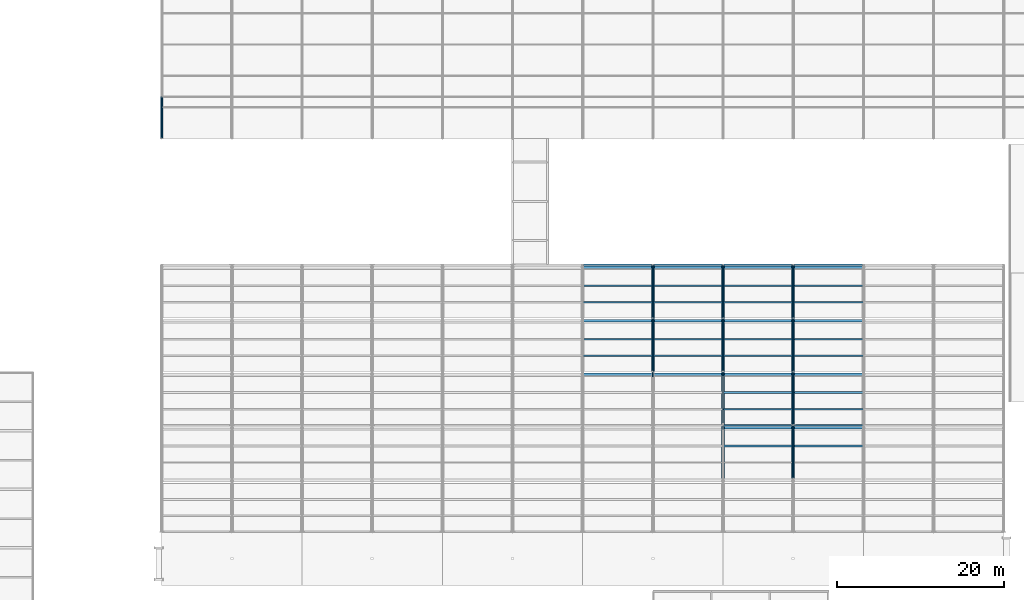
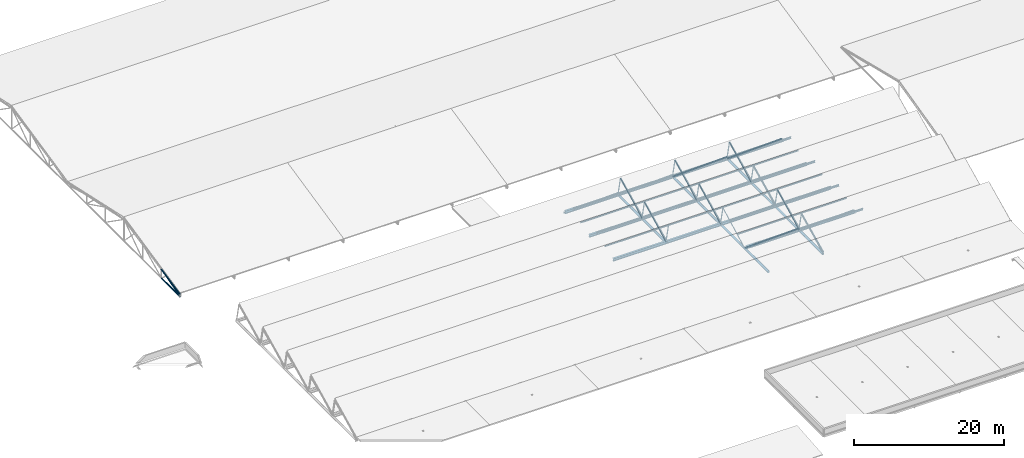
# One storey, part 3 of 194: 46 members, 36 beams.
"""IFC4 building model written with IfcOpenShell, lengths in metres."""

from ifc_helpers import new_model, si_unit, direction, frame, origin, origin_2d, place, context, subcontext, project, spatial, hollow_rectangle, hollow_circle, i_section, extrude, material, material_profile, profile_set, type_object, element, save


model = new_model("IFC4")

# Units and contexts
model_context = context("Model", 3, precision=1e-05, world=origin(), true_north=direction((0.0, 1.0)))
body_context = subcontext(model_context, "Body", "Model", "MODEL_VIEW")
ifc_project = project(units=[si_unit("LENGTHUNIT", "METRE"), si_unit("AREAUNIT", "SQUARE_METRE"), si_unit("VOLUMEUNIT", "CUBIC_METRE"), si_unit("PLANEANGLEUNIT", "RADIAN"), si_unit("MASSUNIT", "GRAM", prefix="KILO")], contexts=[model_context])

# Site, building, storey
site_placement = place(None, origin())
site = spatial("IfcSite", under=ifc_project, at=site_placement, CompositionType="ELEMENT")
building_placement = place(site_placement, origin())
building = spatial("IfcBuilding", under=site, at=building_placement, Name="Kazenagashi Tramway Depot", CompositionType="ELEMENT")
storey_placement = place(building_placement, frame((0.0, 0.0, 23.7)))
storey = spatial("IfcBuildingStorey", under=building, at=storey_placement, Name="ROOF", CompositionType="ELEMENT", Elevation=23.7)

# Members
ifc_material_1 = material(Name="Steel STKR400", Category="steel")
ifc_material_profile_1 = material_profile(ifc_material_1, hollow_rectangle(XDim=0.175, YDim=0.175, WallThickness=0.008, at=origin_2d()), Name="SHS-175x175x8")
ifc_profile_set_1 = profile_set([ifc_material_profile_1], Name="Steel STKR400")
member_type_1 = type_object("IfcMemberType", Name="BR-03", PredefinedType="BRACE", material=ifc_profile_set_1)
for number, where, z_axis, x_axis, name in (
    (1, (95.2, 54.9, -8.9), (0.999362854348, 0.0, 0.035691530512), (0.0, 1.0, 0.0), "Roof Truss BR-03 MEM-1350"),
    (2, (103.6, 54.9, -8.9), (0.999362854348, 0.0, 0.035691530512), (0.0, 1.0, 0.0), "Roof Truss BR-03 MEM-1379"),
    (3, (112.0, 35.7, -8.9), (0.999362854348, 0.0, 0.035691530512), (0.0, 1.0, 0.0), "Roof Truss BR-03 MEM-1407"),
    (4, (112.0, 54.9, -8.9), (0.999362854348, 0.0, 0.035691530512), (0.0, 1.0, 0.0), "Roof Truss BR-03 MEM-1408"),
    (5, (120.4, 35.7, -8.9), (0.999362854348, 0.0, 0.035691530512), (0.0, 1.0, 0.0), "Roof Truss BR-03 MEM-1436"),
    (6, (120.4, 54.9, -8.9), (0.999362854348, 0.0, 0.035691530512), (0.0, 1.0, 0.0), "Roof Truss BR-03 MEM-1437"),
):
    element("IfcMember", number, at=place(storey_placement, frame(where, z_axis=z_axis, x_axis=x_axis)), inside=storey, type_object=member_type_1, Name=name, PredefinedType="BRACE", context=body_context, shape_type="SweptSolid", body=[
        extrude(hollow_rectangle(XDim=0.175, YDim=0.175, WallThickness=0.008, at=origin_2d()), origin(), (0.0, 0.0, 1.0), 8.405355),
    ])

# Beams
ifc_material_2 = material(Name="Steel SN490B", Category="steel")
ifc_material_profile_2 = material_profile(ifc_material_2, i_section(OverallWidth=0.3, OverallDepth=0.44, WebThickness=0.011, FlangeThickness=0.018, at=origin_2d()), Name="H-440x300x11x18")
ifc_profile_set_2 = profile_set([ifc_material_profile_2], Name="Steel SN490B")
beam_type_1 = type_object("IfcBeamType", Name="G-06", PredefinedType="BEAM", material=ifc_profile_set_2)
for number, where, z_axis, x_axis, name in (
    (7, (112.0, 35.4, -8.62), (1.0, 0.0, 0.0), (0.0, 1.0, 0.0), "Beam G-06 BM-1950"),
    (8, (120.4, 35.4, -8.62), (1.0, 0.0, 0.0), (0.0, 1.0, 0.0), "Beam G-06 BM-1951"),
    (9, (95.2, 41.8, -8.62), (1.0, 0.0, 0.0), (0.0, 1.0, 0.0), "Beam G-06 BM-1960"),
    (10, (103.6, 41.8, -8.62), (1.0, 0.0, 0.0), (0.0, 1.0, 0.0), "Beam G-06 BM-1961"),
    (11, (112.0, 41.8, -8.62), (1.0, 0.0, 0.0), (0.0, 1.0, 0.0), "Beam G-06 BM-1962"),
    (12, (120.4, 41.8, -8.62), (1.0, 0.0, 0.0), (0.0, 1.0, 0.0), "Beam G-06 BM-1963"),
    (13, (95.2, 48.2, -8.62), (1.0, 0.0, 0.0), (0.0, 1.0, 0.0), "Beam G-06 BM-1972"),
    (14, (103.6, 48.2, -8.62), (1.0, 0.0, 0.0), (0.0, 1.0, 0.0), "Beam G-06 BM-1973"),
    (15, (112.0, 48.2, -8.62), (1.0, 0.0, 0.0), (0.0, 1.0, 0.0), "Beam G-06 BM-1974"),
    (16, (120.4, 48.2, -8.62), (1.0, 0.0, 0.0), (0.0, 1.0, 0.0), "Beam G-06 BM-1975"),
    (17, (95.2, 54.6, -8.62), (1.0, 0.0, 0.0), (0.0, 1.0, 0.0), "Beam G-06 BM-1984"),
    (18, (103.6, 54.6, -8.62), (1.0, 0.0, 0.0), (0.0, 1.0, 0.0), "Beam G-06 BM-1985"),
    (19, (112.0, 54.6, -8.62), (1.0, 0.0, 0.0), (0.0, 1.0, 0.0), "Beam G-06 BM-1986"),
    (20, (120.4, 54.6, -8.62), (1.0, 0.0, 0.0), (0.0, 1.0, 0.0), "Beam G-06 BM-1987"),
):
    element("IfcBeam", number, at=place(storey_placement, frame(where, z_axis=z_axis, x_axis=x_axis)), inside=storey, type_object=beam_type_1, Name=name, PredefinedType="BEAM", context=body_context, shape_type="SweptSolid", body=[
        extrude(i_section(OverallWidth=0.3, OverallDepth=0.44, WebThickness=0.011, FlangeThickness=0.018, at=origin_2d()), origin(), (0.0, 0.0, 1.0), 8.4),
    ])
ifc_material_3 = material(Name="Steel SN400B", Category="steel")
ifc_material_profile_3 = material_profile(ifc_material_3, i_section(OverallWidth=0.175, OverallDepth=0.175, WebThickness=0.0075, FlangeThickness=0.011, at=origin_2d()), Name="H-175x175x7.5x11")
ifc_profile_set_3 = profile_set([ifc_material_profile_3], Name="Steel SN400B")
beam_type_2 = type_object("IfcBeamType", Name="PR-02", PredefinedType="USERDEFINED", material=ifc_profile_set_3)
for number, where, z_axis, x_axis, name in (
    (21, (112.0, 37.614, -7.775), (1.0, 0.0, 0.0), (0.0, 1.0, 0.0), "Beam PR-02 BM-2290"),
    (22, (120.4, 37.614, -7.775), (1.0, 0.0, 0.0), (0.0, 1.0, 0.0), "Beam PR-02 BM-2291"),
    (23, (95.2, 44.014, -7.775), (1.0, 0.0, 0.0), (0.0, 1.0, 0.0), "Beam PR-02 BM-2312"),
    (24, (103.6, 44.014, -7.775), (1.0, 0.0, 0.0), (0.0, 1.0, 0.0), "Beam PR-02 BM-2313"),
    (25, (112.0, 44.014, -7.775), (1.0, 0.0, 0.0), (0.0, 1.0, 0.0), "Beam PR-02 BM-2314"),
    (26, (120.4, 44.014, -7.775), (1.0, 0.0, 0.0), (0.0, 1.0, 0.0), "Beam PR-02 BM-2315"),
    (27, (95.2, 50.414, -7.775), (1.0, 0.0, 0.0), (0.0, 1.0, 0.0), "Beam PR-02 BM-2336"),
    (28, (103.6, 50.414, -7.775), (1.0, 0.0, 0.0), (0.0, 1.0, 0.0), "Beam PR-02 BM-2337"),
    (29, (112.0, 50.414, -7.775), (1.0, 0.0, 0.0), (0.0, 1.0, 0.0), "Beam PR-02 BM-2338"),
    (30, (120.4, 50.414, -7.775), (1.0, 0.0, 0.0), (0.0, 1.0, 0.0), "Beam PR-02 BM-2339"),
):
    element("IfcBeam", number, at=place(storey_placement, frame(where, z_axis=z_axis, x_axis=x_axis)), inside=storey, type_object=beam_type_2, Name=name, ObjectType="PURLIN", PredefinedType="USERDEFINED", context=body_context, shape_type="SweptSolid", body=[
        extrude(i_section(OverallWidth=0.175, OverallDepth=0.175, WebThickness=0.0075, FlangeThickness=0.011, at=origin_2d()), origin(), (0.0, 0.0, 1.0), 8.4),
    ])
ifc_material_profile_4 = material_profile(ifc_material_2, i_section(OverallWidth=0.2, OverallDepth=0.294, WebThickness=0.008, FlangeThickness=0.012, at=origin_2d()), Name="H-294x200x8x12")
ifc_profile_set_4 = profile_set([ifc_material_profile_4], Name="Steel SN490B")
beam_type_3 = type_object("IfcBeamType", Name="PR-03", PredefinedType="USERDEFINED", material=ifc_profile_set_4)
for number, where, z_axis, x_axis, name in (
    (31, (112.0, 33.186, -6.873), (1.0, 0.0, 0.0), (0.0, 1.0, 0.0), "Beam PR-03 BM-2278"),
    (32, (120.4, 33.186, -6.873), (1.0, 0.0, 0.0), (0.0, 1.0, 0.0), "Beam PR-03 BM-2279"),
    (33, (112.0, 39.586, -6.873), (1.0, 0.0, 0.0), (0.0, 1.0, 0.0), "Beam PR-03 BM-2302"),
    (34, (120.4, 39.586, -6.873), (1.0, 0.0, 0.0), (0.0, 1.0, 0.0), "Beam PR-03 BM-2303"),
    (35, (95.2, 45.986, -6.873), (1.0, 0.0, 0.0), (0.0, 1.0, 0.0), "Beam PR-03 BM-2324"),
    (36, (103.6, 45.986, -6.873), (1.0, 0.0, 0.0), (0.0, 1.0, 0.0), "Beam PR-03 BM-2325"),
    (37, (112.0, 45.986, -6.873), (1.0, 0.0, 0.0), (0.0, 1.0, 0.0), "Beam PR-03 BM-2326"),
    (38, (120.4, 45.986, -6.873), (1.0, 0.0, 0.0), (0.0, 1.0, 0.0), "Beam PR-03 BM-2327"),
    (39, (95.2, 52.386, -6.873), (1.0, 0.0, 0.0), (0.0, 1.0, 0.0), "Beam PR-03 BM-2348"),
    (40, (103.6, 52.386, -6.873), (1.0, 0.0, 0.0), (0.0, 1.0, 0.0), "Beam PR-03 BM-2349"),
    (41, (112.0, 52.386, -6.873), (1.0, 0.0, 0.0), (0.0, 1.0, 0.0), "Beam PR-03 BM-2350"),
    (42, (120.4, 52.386, -6.873), (1.0, 0.0, 0.0), (0.0, 1.0, 0.0), "Beam PR-03 BM-2351"),
):
    element("IfcBeam", number, at=place(storey_placement, frame(where, z_axis=z_axis, x_axis=x_axis)), inside=storey, type_object=beam_type_3, Name=name, ObjectType="PURLIN", PredefinedType="USERDEFINED", context=body_context, shape_type="SweptSolid", body=[
        extrude(i_section(OverallWidth=0.2, OverallDepth=0.294, WebThickness=0.008, FlangeThickness=0.012, at=origin_2d()), origin(), (0.0, 0.0, 1.0), 8.4),
    ])

# Members
ifc_material_4 = material(Name="Steel STK490", Category="steel")
ifc_material_profile_5 = material_profile(ifc_material_4, hollow_circle(Radius=0.1337, WallThickness=0.0093, at=origin_2d()), Name="CHS-267.4x9.3")
ifc_profile_set_5 = profile_set([ifc_material_profile_5], Name="Steel STK490")
member_type_2 = type_object("IfcMemberType", Name="TC-01", PredefinedType="CHORD", material=ifc_profile_set_5)
member_1_placement = place(storey_placement, frame((44.8, 70.0, -13.7), z_axis=(0.0, 0.979317999984, 0.202327098797), x_axis=(-1.0, 0.0, 0.0)))
element("IfcMember", 43, at=member_1_placement, inside=storey, type_object=member_type_2, Name="Tubular Space Frame TC-01 MEM-0001", PredefinedType="CHORD", context=body_context, shape_type="SweptSolid", body=[
    extrude(hollow_circle(Radius=0.1337, WallThickness=0.0093, at=origin_2d()), origin(), (0.0, 0.0, 1.0), 5.105594),
])
for number, where, z_axis, x_axis, name in (
    (44, (103.6, 42.1, -8.6), (0.0, 0.903579167632, 0.428421157067), (-1.0, 0.0, 0.0), "Roof Truss TC-01 MEM-1367"),
    (45, (103.6, 48.5, -8.6), (0.0, 0.903579167632, 0.428421157067), (-1.0, 0.0, 0.0), "Roof Truss TC-01 MEM-1372"),
    (46, (112.0, 42.1, -8.6), (0.0, 0.903579167632, 0.428421157067), (-1.0, 0.0, 0.0), "Roof Truss TC-01 MEM-1396"),
    (47, (112.0, 48.5, -8.6), (0.0, 0.903579167632, 0.428421157067), (-1.0, 0.0, 0.0), "Roof Truss TC-01 MEM-1401"),
    (48, (120.4, 29.3, -8.6), (0.0, 0.903579167632, 0.428421157067), (-1.0, 0.0, 0.0), "Roof Truss TC-01 MEM-1415"),
    (49, (120.4, 35.7, -8.6), (0.0, 0.903579167632, 0.428421157067), (-1.0, 0.0, 0.0), "Roof Truss TC-01 MEM-1420"),
    (50, (120.4, 42.1, -8.6), (0.0, 0.903579167632, 0.428421157067), (-1.0, 0.0, 0.0), "Roof Truss TC-01 MEM-1425"),
    (51, (120.4, 48.5, -8.6), (0.0, 0.903579167632, 0.428421157067), (-1.0, 0.0, 0.0), "Roof Truss TC-01 MEM-1430"),
):
    element("IfcMember", number, at=place(storey_placement, frame(where, z_axis=z_axis, x_axis=x_axis)), inside=storey, type_object=member_type_2, Name=name, PredefinedType="CHORD", context=body_context, shape_type="SweptSolid", body=[
        extrude(hollow_circle(Radius=0.1337, WallThickness=0.0093, at=origin_2d()), origin(), (0.0, 0.0, 1.0), 6.418917),
    ])
ifc_material_profile_6 = material_profile(ifc_material_4, hollow_circle(Radius=0.10815, WallThickness=0.0082, at=origin_2d()), Name="CHS-216.3x8.2")
ifc_profile_set_6 = profile_set([ifc_material_profile_6], Name="Steel STK490")
member_type_3 = type_object("IfcMemberType", Name="TC-02", PredefinedType="CHORD", material=ifc_profile_set_6)
member_2_placement = place(storey_placement, frame((44.8, 70.0, -14.1), z_axis=(0.0, 1.0, 0.0), x_axis=(-1.0, 0.0, 0.0)))
element("IfcMember", 52, at=member_2_placement, inside=storey, type_object=member_type_3, Name="Tubular Space Frame TC-02 MEM-0002", PredefinedType="CHORD", context=body_context, shape_type="SweptSolid", body=[
    extrude(hollow_circle(Radius=0.10815, WallThickness=0.0082, at=origin_2d()), origin(), (0.0, 0.0, 1.0), 5.0),
])
ifc_material_profile_7 = material_profile(ifc_material_4, hollow_circle(Radius=0.1778, WallThickness=0.0127, at=origin_2d()), Name="CHS-355.6x12.7")
ifc_profile_set_7 = profile_set([ifc_material_profile_7], Name="Steel STK490")
member_type_4 = type_object("IfcMemberType", Name="TC-03", PredefinedType="CHORD", material=ifc_profile_set_7)
for number, where, z_axis, x_axis, name in (
    (53, (103.6, 42.1, -8.9), (0.0, 1.0, 0.0), (-1.0, 0.0, 0.0), "Roof Truss TC-03 MEM-1366"),
    (54, (103.6, 48.5, -8.9), (0.0, 1.0, 0.0), (-1.0, 0.0, 0.0), "Roof Truss TC-03 MEM-1371"),
    (55, (112.0, 29.3, -8.9), (0.0, 1.0, 0.0), (-1.0, 0.0, 0.0), "Roof Truss TC-03 MEM-1385"),
    (56, (112.0, 35.7, -8.9), (0.0, 1.0, 0.0), (-1.0, 0.0, 0.0), "Roof Truss TC-03 MEM-1390"),
    (57, (112.0, 42.1, -8.9), (0.0, 1.0, 0.0), (-1.0, 0.0, 0.0), "Roof Truss TC-03 MEM-1395"),
    (58, (112.0, 48.5, -8.9), (0.0, 1.0, 0.0), (-1.0, 0.0, 0.0), "Roof Truss TC-03 MEM-1400"),
    (59, (120.4, 29.3, -8.9), (0.0, 1.0, 0.0), (-1.0, 0.0, 0.0), "Roof Truss TC-03 MEM-1414"),
    (60, (120.4, 35.7, -8.9), (0.0, 1.0, 0.0), (-1.0, 0.0, 0.0), "Roof Truss TC-03 MEM-1419"),
    (61, (120.4, 42.1, -8.9), (0.0, 1.0, 0.0), (-1.0, 0.0, 0.0), "Roof Truss TC-03 MEM-1424"),
    (62, (120.4, 48.5, -8.9), (0.0, 1.0, 0.0), (-1.0, 0.0, 0.0), "Roof Truss TC-03 MEM-1429"),
):
    element("IfcMember", number, at=place(storey_placement, frame(where, z_axis=z_axis, x_axis=x_axis)), inside=storey, type_object=member_type_4, Name=name, PredefinedType="CHORD", context=body_context, shape_type="SweptSolid", body=[
        extrude(hollow_circle(Radius=0.1778, WallThickness=0.0127, at=origin_2d()), origin(), (0.0, 0.0, 1.0), 6.4),
    ])
ifc_material_profile_8 = material_profile(ifc_material_4, hollow_circle(Radius=0.0826, WallThickness=0.0071, at=origin_2d()), Name="CHS-165.2x7.1")
ifc_profile_set_8 = profile_set([ifc_material_profile_8], Name="Steel STK490")
member_type_5 = type_object("IfcMemberType", Name="TS-01", PredefinedType="STRUT", material=ifc_profile_set_8)
member_3_placement = place(storey_placement, frame((44.8, 70.0, -14.1), z_axis=(0.0, 0.961298717795, 0.27550821252), x_axis=(-1.0, 0.0, 0.0)))
element("IfcMember", 63, at=member_3_placement, inside=storey, type_object=member_type_5, Name="Tubular Space Frame TS-01 MEM-0003", PredefinedType="STRUT", context=body_context, shape_type="SweptSolid", body=[
    extrude(hollow_circle(Radius=0.0826, WallThickness=0.0071, at=origin_2d()), origin(), (0.0, 0.0, 1.0), 5.201297),
])
for number, where, z_axis, x_axis, name in (
    (64, (103.6, 41.5, -5.85), (0.0, 0.213167075217, -0.97701576141), (-1.0, 0.0, 0.0), "Roof Truss TS-01 MEM-1363"),
    (65, (103.6, 47.9, -5.85), (0.0, 0.213167075217, -0.97701576141), (-1.0, 0.0, 0.0), "Roof Truss TS-01 MEM-1368"),
    (66, (103.6, 54.3, -5.85), (0.0, 0.213167075217, -0.97701576141), (-1.0, 0.0, 0.0), "Roof Truss TS-01 MEM-1373"),
    (67, (112.0, 41.5, -5.85), (0.0, 0.213167075217, -0.97701576141), (-1.0, 0.0, 0.0), "Roof Truss TS-01 MEM-1392"),
    (68, (112.0, 47.9, -5.85), (0.0, 0.213167075217, -0.97701576141), (-1.0, 0.0, 0.0), "Roof Truss TS-01 MEM-1397"),
    (69, (112.0, 54.3, -5.85), (0.0, 0.213167075217, -0.97701576141), (-1.0, 0.0, 0.0), "Roof Truss TS-01 MEM-1402"),
    (70, (120.4, 35.1, -5.85), (0.0, 0.213167075217, -0.97701576141), (-1.0, 0.0, 0.0), "Roof Truss TS-01 MEM-1416"),
    (71, (120.4, 41.5, -5.85), (0.0, 0.213167075217, -0.97701576141), (-1.0, 0.0, 0.0), "Roof Truss TS-01 MEM-1421"),
    (72, (120.4, 47.9, -5.85), (0.0, 0.213167075217, -0.97701576141), (-1.0, 0.0, 0.0), "Roof Truss TS-01 MEM-1426"),
    (73, (120.4, 54.3, -5.85), (0.0, 0.213167075217, -0.97701576141), (-1.0, 0.0, 0.0), "Roof Truss TS-01 MEM-1431"),
):
    element("IfcMember", number, at=place(storey_placement, frame(where, z_axis=z_axis, x_axis=x_axis)), inside=storey, type_object=member_type_5, Name=name, PredefinedType="STRUT", context=body_context, shape_type="SweptSolid", body=[
        extrude(hollow_circle(Radius=0.0826, WallThickness=0.0071, at=origin_2d()), origin(), (0.0, 0.0, 1.0), 2.814694),
    ])
ifc_material_profile_9 = material_profile(ifc_material_4, hollow_circle(Radius=0.0699, WallThickness=0.0066, at=origin_2d()), Name="CHS-139.8x6.6")
ifc_profile_set_9 = profile_set([ifc_material_profile_9], Name="Steel STK490")
member_type_6 = type_object("IfcMemberType", Name="TS-02", PredefinedType="STRUT", material=ifc_profile_set_9)
for number, where, z_axis, x_axis, name in (
    (74, (103.6, 42.1, -8.9), (0.0, 0.885083676955, 0.465431933571), (-1.0, 0.0, 0.0), "Roof Truss TS-02 MEM-1370"),
    (75, (103.6, 48.5, -8.9), (0.0, 0.885083676955, 0.465431933571), (-1.0, 0.0, 0.0), "Roof Truss TS-02 MEM-1375"),
    (76, (112.0, 35.7, -8.9), (0.0, 0.885083676955, 0.465431933571), (-1.0, 0.0, 0.0), "Roof Truss TS-02 MEM-1394"),
    (77, (112.0, 42.1, -8.9), (0.0, 0.885083676955, 0.465431933571), (-1.0, 0.0, 0.0), "Roof Truss TS-02 MEM-1399"),
    (78, (112.0, 48.5, -8.9), (0.0, 0.885083676955, 0.465431933571), (-1.0, 0.0, 0.0), "Roof Truss TS-02 MEM-1404"),
    (79, (120.4, 29.3, -8.9), (0.0, 0.885083676955, 0.465431933571), (-1.0, 0.0, 0.0), "Roof Truss TS-02 MEM-1418"),
    (80, (120.4, 35.7, -8.9), (0.0, 0.885083676955, 0.465431933571), (-1.0, 0.0, 0.0), "Roof Truss TS-02 MEM-1423"),
    (81, (120.4, 42.1, -8.9), (0.0, 0.885083676955, 0.465431933571), (-1.0, 0.0, 0.0), "Roof Truss TS-02 MEM-1428"),
    (82, (120.4, 48.5, -8.9), (0.0, 0.885083676955, 0.465431933571), (-1.0, 0.0, 0.0), "Roof Truss TS-02 MEM-1433"),
):
    element("IfcMember", number, at=place(storey_placement, frame(where, z_axis=z_axis, x_axis=x_axis)), inside=storey, type_object=member_type_6, Name=name, PredefinedType="STRUT", context=body_context, shape_type="SweptSolid", body=[
        extrude(hollow_circle(Radius=0.0699, WallThickness=0.0066, at=origin_2d()), origin(), (0.0, 0.0, 1.0), 6.553053),
    ])

save(model, "model.ifc")
